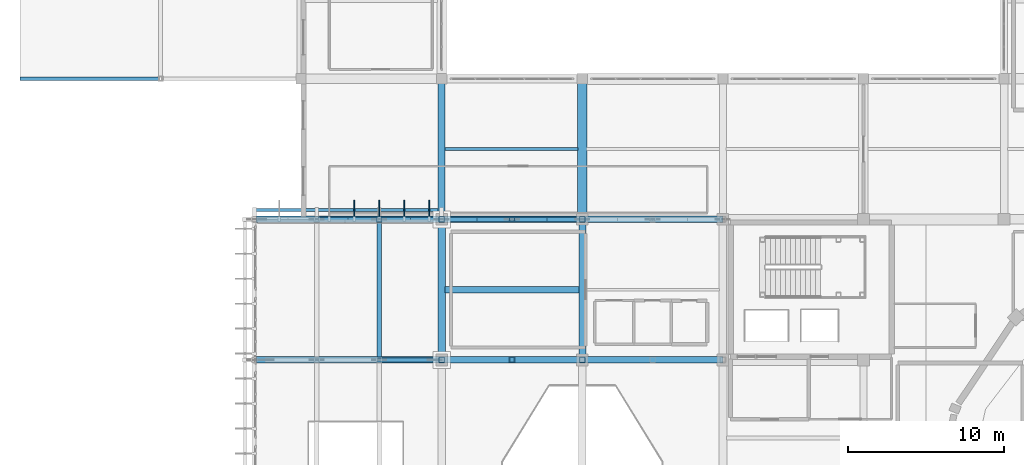
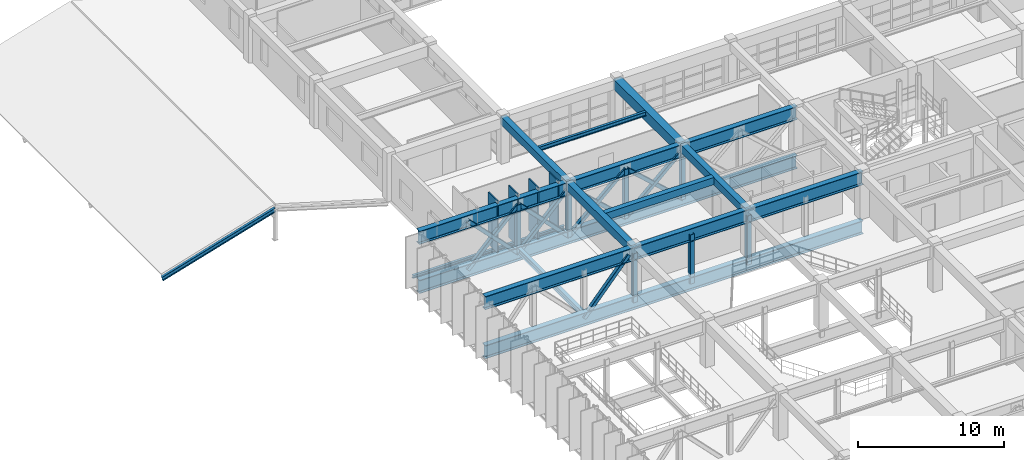
# One storey, part 48 of 130: 21 members, 12 beams.
"""IFC4 building model written with IfcOpenShell, lengths in metres."""

from ifc_helpers import new_model, si_unit, direction, frame, origin, origin_2d, place, context, subcontext, project, spatial, rectangle, hollow_rectangle, i_section, extrude, material, material_profile, profile_set, type_object, element, save


model = new_model("IFC4")

# Units and contexts
model_context = context("Model", 3, precision=1e-05, world=origin(), true_north=direction((0.0, 1.0)))
body_context = subcontext(model_context, "Body", "Model", "MODEL_VIEW")
ifc_project = project(units=[si_unit("LENGTHUNIT", "METRE"), si_unit("AREAUNIT", "SQUARE_METRE"), si_unit("VOLUMEUNIT", "CUBIC_METRE"), si_unit("PLANEANGLEUNIT", "RADIAN"), si_unit("MASSUNIT", "GRAM", prefix="KILO")], contexts=[model_context])

# Site, building, storey
site_placement = place(None, origin())
site = spatial("IfcSite", under=ifc_project, at=site_placement, CompositionType="ELEMENT")
building_placement = place(site_placement, origin())
building = spatial("IfcBuilding", under=site, at=building_placement, Name="Miravela Opera House", CompositionType="ELEMENT")
storey_placement = place(building_placement, frame((0.0, 0.0, 9.52001953125)))
storey = spatial("IfcBuildingStorey", under=building, at=storey_placement, Name="L02", CompositionType="ELEMENT", Elevation=9.52001953125)

# Members
ifc_material_1 = material(Name="Anodised architectural bronze aluminium 6063-T6", Category="aluminium")
ifc_material_profile_1 = material_profile(ifc_material_1, rectangle(XDim=0.090087890625, YDim=1.25, at=origin_2d()), Name="FIN-1250X90")
ifc_profile_set_1 = profile_set([ifc_material_profile_1])
member_type_1 = type_object("IfcMemberType", Name="ARC-FIN-1250", PredefinedType="USERDEFINED", material=ifc_profile_set_1)
for number, where, z_axis, x_axis, name in (
    (1, (21.39990234375, 75.60498046875, -0.260009765625), (0.0, 0.0, 1.0), (1.0, 0.0, 0.0), "Auditorium Wrapper Bronze Solar Fin FIN-L02-NORTH-0029"),
    (2, (23.0, 75.60498046875, -0.260009765625), (0.0, 0.0, 1.0), (1.0, 0.0, 0.0), "Auditorium Wrapper Bronze Solar Fin FIN-L02-NORTH-0031"),
    (3, (24.60009765625, 75.60498046875, -0.260009765625), (0.0, 0.0, 1.0), (1.0, 0.0, 0.0), "Auditorium Wrapper Bronze Solar Fin FIN-L02-NORTH-0033"),
    (4, (26.199951171875, 75.60498046875, -0.260009765625), (0.0, 0.0, 1.0), (1.0, 0.0, 0.0), "Auditorium Wrapper Bronze Solar Fin FIN-L02-NORTH-0035"),
):
    element("IfcMember", number, at=place(storey_placement, frame(where, z_axis=z_axis, x_axis=x_axis)), inside=storey, type_object=member_type_1, Name=name, ObjectType="FIN", PredefinedType="USERDEFINED", context=body_context, shape_type="SweptSolid", body=[
        extrude(rectangle(XDim=0.090087890625, YDim=1.25, at=origin_2d()), origin(), (0.0, 0.0, 1.0), 4.340087890625),
    ])

# Beams
ifc_material_2 = material(Name="Concrete C35/45", Category="concrete")
ifc_material_profile_2 = material_profile(ifc_material_2, rectangle(XDim=0.39990234375, YDim=0.60009765625, at=origin_2d()), Name="RC-BM-400X600")
ifc_profile_set_2 = profile_set([ifc_material_profile_2])
beam_type_1 = type_object("IfcBeamType", Name="STR-BM-RC400X600", PredefinedType="JOIST", material=ifc_profile_set_2)
beam_1_placement = place(storey_placement, frame((27.22509765625, 70.5, 3.5400390625), z_axis=(1.0, 0.0, 0.0), x_axis=(0.0, 1.0, 0.0)))
element("IfcBeam", 5, at=beam_1_placement, inside=storey, type_object=beam_type_1, Name="Secondary Floor Joist L02 4-5/H-I", PredefinedType="JOIST", context=body_context, shape_type="SweptSolid", body=[
    extrude(rectangle(XDim=0.39990234375, YDim=0.60009765625, at=origin_2d()), origin(), (0.0, 0.0, 1.0), 8.56494140625),
])
ifc_material_profile_3 = material_profile(ifc_material_2, rectangle(XDim=0.449951171875, YDim=0.64990234375, at=origin_2d()), Name="RC-BM-450X650")
ifc_profile_set_3 = profile_set([ifc_material_profile_3])
beam_type_2 = type_object("IfcBeamType", Name="STR-BM-RC450X650", PredefinedType="BEAM", material=ifc_profile_set_3)
for number, where, z_axis, x_axis, name in (
    (6, (27.0, 75.080078125, 3.514892578125), (0.0, 1.0, 0.0), (-1.0, 0.0, 0.0), "Floor Girder L02 4/I-J"),
    (7, (36.0, 66.080078125, 3.514892578125), (0.0, 1.0, 0.0), (-1.0, 0.0, 0.0), "Floor Girder L02 5/H-I"),
):
    element("IfcBeam", number, at=place(storey_placement, frame(where, z_axis=z_axis, x_axis=x_axis)), inside=storey, type_object=beam_type_2, Name=name, PredefinedType="BEAM", context=body_context, shape_type="SweptSolid", body=[
        extrude(rectangle(XDim=0.449951171875, YDim=0.64990234375, at=origin_2d()), origin(), (0.0, 0.0, 1.0), 8.83984375),
    ])
ifc_material_profile_4 = material_profile(ifc_material_2, rectangle(XDim=0.47998046875, YDim=0.679931640625, at=origin_2d()), Name="RC-BM-480X680")
ifc_profile_set_4 = profile_set([ifc_material_profile_4])
beam_type_3 = type_object("IfcBeamType", Name="STR-BM-RC480X680", PredefinedType="BEAM", material=ifc_profile_set_4)
beam_2_placement = place(storey_placement, frame((27.0, 66.080078125, 3.5), z_axis=(0.0, 1.0, 0.0), x_axis=(-1.0, 0.0, 0.0)))
element("IfcBeam", 8, at=beam_2_placement, inside=storey, type_object=beam_type_3, Name="Floor Girder L02 4/H-I", PredefinedType="BEAM", context=body_context, shape_type="SweptSolid", body=[
    extrude(rectangle(XDim=0.47998046875, YDim=0.679931640625, at=origin_2d()), origin(), (0.0, 0.0, 1.0), 8.83984375),
])
ifc_material_3 = material(Name="Concrete C40/50", Category="concrete")
ifc_material_profile_5 = material_profile(ifc_material_3, rectangle(XDim=0.60009765625, YDim=0.85009765625, at=origin_2d()), Name="RC-BM-600X850")
ifc_profile_set_5 = profile_set([ifc_material_profile_5])
beam_type_4 = type_object("IfcBeamType", Name="STR-BM-RC600X850", PredefinedType="BEAM", material=ifc_profile_set_5)
beam_3_placement = place(storey_placement, frame((36.0, 75.080078125, 3.4150390625), z_axis=(0.0, 1.0, 0.0), x_axis=(-1.0, 0.0, 0.0)))
element("IfcBeam", 9, at=beam_3_placement, inside=storey, type_object=beam_type_4, Name="Floor Girder L02 5/I-J", PredefinedType="BEAM", context=body_context, shape_type="SweptSolid", body=[
    extrude(rectangle(XDim=0.60009765625, YDim=0.85009765625, at=origin_2d()), origin(), (0.0, 0.0, 1.0), 8.83984375),
])
ifc_material_4 = material(Name="Structural steel ASTM A992 Gr. 50", Category="steel")
ifc_material_profile_6 = material_profile(ifc_material_4, i_section(OverallWidth=0.419921875, OverallDepth=1.10595703125, WebThickness=0.02001953125, FlangeThickness=0.0400390625, FilletRadius=0.02392578125, at=origin_2d()), Name="W1100X390")
ifc_profile_set_6 = profile_set([ifc_material_profile_6])
beam_type_5 = type_object("IfcBeamType", Name="STR-BM-W1100X390", PredefinedType="BEAM", material=ifc_profile_set_6)
for number, where, z_axis, x_axis, name in (
    (10, (45.0, 66.0, -0.81298828125), (-1.0, 0.0, 0.0), (0.0, -1.0, 0.0), "Cantilever Truss CT-04 Continuous Bottom Chord"),
    (11, (45.0, 66.0, 3.286865234375), (-1.0, 0.0, 0.0), (0.0, -1.0, 0.0), "Cantilever Truss CT-04 Continuous Top Chord"),
    (12, (45.0, 75.0, -0.81298828125), (-1.0, 0.0, 0.0), (0.0, -1.0, 0.0), "Cantilever Truss CT-05 Continuous Bottom Chord"),
    (13, (45.0, 75.0, 3.286865234375), (-1.0, 0.0, 0.0), (0.0, -1.0, 0.0), "Cantilever Truss CT-05 Continuous Top Chord"),
):
    element("IfcBeam", number, at=place(storey_placement, frame(where, z_axis=z_axis, x_axis=x_axis)), inside=storey, type_object=beam_type_5, Name=name, PredefinedType="BEAM", context=body_context, shape_type="SweptSolid", body=[
        extrude(i_section(OverallWidth=0.419921875, OverallDepth=1.10595703125, WebThickness=0.02001953125, FlangeThickness=0.0400390625, FilletRadius=0.02392578125, at=origin_2d()), origin(), (0.0, 0.0, 1.0), 29.889892578125),
    ])
ifc_material_profile_7 = material_profile(ifc_material_4, i_section(OverallWidth=0.201904296875, OverallDepth=0.2470703125, WebThickness=0.00732421875, FlangeThickness=0.010986328125, FilletRadius=0.011962890625, at=origin_2d()), Name="W250X49")
ifc_profile_set_7 = profile_set([ifc_material_profile_7])
beam_type_6 = type_object("IfcBeamType", Name="STR-BM-W250X49", PredefinedType="LINTEL", material=ifc_profile_set_7)
beam_4_placement = place(storey_placement, frame((15.0, 75.60498046875, -0.383544921875), z_axis=(1.0, 0.0, 0.0), x_axis=(0.0, 1.0, 0.0)))
element("IfcBeam", 14, at=beam_4_placement, inside=storey, type_object=beam_type_6, Name="Facade Fin Support Ledger Beam L02 North", PredefinedType="LINTEL", context=body_context, shape_type="SweptSolid", body=[
    extrude(i_section(OverallWidth=0.201904296875, OverallDepth=0.2470703125, WebThickness=0.00732421875, FlangeThickness=0.010986328125, FilletRadius=0.011962890625, at=origin_2d()), origin(), (0.0, 0.0, 1.0), 12.0),
])
ifc_material_profile_8 = material_profile(ifc_material_4, i_section(OverallWidth=0.2041015625, OverallDepth=0.35009765625, WebThickness=0.008544921875, FlangeThickness=0.01513671875, FilletRadius=0.013916015625, at=origin_2d()), Name="W360X72")
ifc_profile_set_8 = profile_set([ifc_material_profile_8])
beam_type_7 = type_object("IfcBeamType", Name="STR-BM-W360X72", PredefinedType="JOIST", material=ifc_profile_set_8)
beam_5_placement = place(storey_placement, frame((27.2099609375, 79.5, 3.6650390625), z_axis=(1.0, 0.0, 0.0), x_axis=(0.0, 1.0, 0.0)))
element("IfcBeam", 15, at=beam_5_placement, inside=storey, type_object=beam_type_7, Name="Secondary Floor Joist L02 4-5/I-J", PredefinedType="JOIST", context=body_context, shape_type="SweptSolid", body=[
    extrude(i_section(OverallWidth=0.2041015625, OverallDepth=0.35009765625, WebThickness=0.008544921875, FlangeThickness=0.01513671875, FilletRadius=0.013916015625, at=origin_2d()), origin(), (0.0, 0.0, 1.0), 8.505126953125),
])
ifc_material_profile_9 = material_profile(ifc_material_4, i_section(OverallWidth=0.280029296875, OverallDepth=0.462890625, WebThickness=0.0107421875, FlangeThickness=0.017333984375, FilletRadius=0.014892578125, at=origin_2d()), Name="W460X113")
ifc_profile_set_9 = profile_set([ifc_material_profile_9])
beam_type_8 = type_object("IfcBeamType", Name="STR-BM-W460X113", PredefinedType="BEAM", material=ifc_profile_set_9)
beam_6_placement = place(storey_placement, frame((23.0, 66.195068359375, -0.491455078125), z_axis=(0.0, 1.0, 0.0), x_axis=(-1.0, 0.0, 0.0)))
element("IfcBeam", 16, at=beam_6_placement, inside=storey, type_object=beam_type_8, Name="Cantilever Overhang Beam L02 X=23", PredefinedType="BEAM", context=body_context, shape_type="SweptSolid", body=[
    extrude(i_section(OverallWidth=0.280029296875, OverallDepth=0.462890625, WebThickness=0.0107421875, FlangeThickness=0.017333984375, FilletRadius=0.014892578125, at=origin_2d()), origin(), (0.0, 0.0, 1.0), 8.60986328125),
])

# Members
ifc_material_5 = material(Name="Hollow structural steel ASTM A500 Gr. C", Category="steel")
ifc_material_profile_10 = material_profile(ifc_material_5, hollow_rectangle(XDim=0.300048828125, YDim=0.300048828125, WallThickness=0.01611328125, InnerFilletRadius=0.01611328125, OuterFilletRadius=0.031982421875, at=origin_2d()), Name="HSS300X300X16")
ifc_profile_set_10 = profile_set([ifc_material_profile_10])
member_type_2 = type_object("IfcMemberType", Name="STR-MEM-CANT-DIAG", PredefinedType="BRACE", material=ifc_profile_set_10)
member_1_placement = place(storey_placement, frame((23.0, 66.0, -0.81298828125), z_axis=(0.654597986121, 0.0, 0.755977166696), x_axis=(0.0, 1.0, 0.0)))
element("IfcMember", 17, at=member_1_placement, inside=storey, type_object=member_type_2, Name="Cantilever Truss CT-04 Overhang Web Diagonal 3", PredefinedType="BRACE", context=body_context, shape_type="SweptSolid", body=[
    extrude(hollow_rectangle(XDim=0.300048828125, YDim=0.300048828125, WallThickness=0.01611328125, InnerFilletRadius=0.01611328125, OuterFilletRadius=0.031982421875, at=origin_2d()), origin(), (0.0, 0.0, 1.0), 5.42333984375),
])
for number, where, z_axis, x_axis, name in (
    (18, (19.0, 75.0, -0.81298828125), (0.698336634992, 0.0, 0.715769477016), (0.0, 1.0, 0.0), "Cantilever Truss CT-05 Perimeter Web Diagonal 2A"),
    (19, (19.0, 75.0, 3.286865234375), (0.698336634992, 0.0, -0.715769477016), (0.0, 1.0, 0.0), "Cantilever Truss CT-05 Perimeter Web Diagonal 2B"),
    (20, (23.0, 75.0, -0.81298828125), (0.698336634992, 0.0, 0.715769477016), (0.0, 1.0, 0.0), "Cantilever Truss CT-05 Perimeter Web Diagonal 3A"),
    (21, (23.0, 75.0, 3.286865234375), (0.698336634992, 0.0, -0.715769477016), (0.0, 1.0, 0.0), "Cantilever Truss CT-05 Perimeter Web Diagonal 3B"),
):
    element("IfcMember", number, at=place(storey_placement, frame(where, z_axis=z_axis, x_axis=x_axis)), inside=storey, type_object=member_type_2, Name=name, PredefinedType="BRACE", context=body_context, shape_type="SweptSolid", body=[
        extrude(hollow_rectangle(XDim=0.300048828125, YDim=0.300048828125, WallThickness=0.01611328125, InnerFilletRadius=0.01611328125, OuterFilletRadius=0.031982421875, at=origin_2d()), origin(), (0.0, 0.0, 1.0), 5.727783203125),
    ])
for number, where, z_axis, x_axis, name in (
    (22, (27.0, 75.0, -0.81298828125), (0.7392083166, 0.0, 0.673476847909), (0.0, 1.0, 0.0), "Cantilever Truss CT-05 Perimeter Web Diagonal 4A"),
    (23, (27.0, 75.0, 3.286865234375), (0.7392083166, 0.0, -0.673476847909), (0.0, 1.0, 0.0), "Cantilever Truss CT-05 Perimeter Web Diagonal 4B"),
    (24, (31.5, 75.0, -0.81298828125), (0.7392083166, 0.0, 0.673476847909), (0.0, 1.0, 0.0), "Cantilever Truss CT-05 Perimeter Web Diagonal 5A"),
    (25, (31.5, 75.0, 3.286865234375), (0.7392083166, 0.0, -0.673476847909), (0.0, 1.0, 0.0), "Cantilever Truss CT-05 Perimeter Web Diagonal 5B"),
):
    element("IfcMember", number, at=place(storey_placement, frame(where, z_axis=z_axis, x_axis=x_axis)), inside=storey, type_object=member_type_2, Name=name, PredefinedType="BRACE", context=body_context, shape_type="SweptSolid", body=[
        extrude(hollow_rectangle(XDim=0.300048828125, YDim=0.300048828125, WallThickness=0.01611328125, InnerFilletRadius=0.01611328125, OuterFilletRadius=0.031982421875, at=origin_2d()), origin(), (0.0, 0.0, 1.0), 6.087646484375),
    ])
ifc_material_profile_11 = material_profile(ifc_material_5, hollow_rectangle(XDim=0.35009765625, YDim=0.35009765625, WallThickness=0.01611328125, InnerFilletRadius=0.01611328125, OuterFilletRadius=0.031982421875, at=origin_2d()), Name="HSS350X350X16")
ifc_profile_set_11 = profile_set([ifc_material_profile_11])
member_type_3 = type_object("IfcMemberType", Name="STR-MEM-CANT-POST", PredefinedType="POST", material=ifc_profile_set_11)
for number, where, z_axis, x_axis, name in (
    (26, (27.0, 66.0, -0.81298828125), (0.0, 0.0, 1.0), (1.0, 0.0, 0.0), "Cantilever Truss CT-04 Post X=27.0"),
    (27, (31.5, 66.0, -0.81298828125), (0.0, 0.0, 1.0), (1.0, 0.0, 0.0), "Cantilever Truss CT-04 Post X=31.5"),
    (28, (36.0, 66.0, -0.81298828125), (0.0, 0.0, 1.0), (1.0, 0.0, 0.0), "Cantilever Truss CT-04 Post X=36.0"),
    (29, (23.0, 75.0, -0.81298828125), (0.0, 0.0, 1.0), (1.0, 0.0, 0.0), "Cantilever Truss CT-05 Post X=23.0"),
    (30, (27.0, 75.0, -0.81298828125), (0.0, 0.0, 1.0), (1.0, 0.0, 0.0), "Cantilever Truss CT-05 Post X=27.0"),
    (31, (31.5, 75.0, -0.81298828125), (0.0, 0.0, 1.0), (1.0, 0.0, 0.0), "Cantilever Truss CT-05 Post X=31.5"),
    (32, (36.0, 75.0, -0.81298828125), (0.0, 0.0, 1.0), (1.0, 0.0, 0.0), "Cantilever Truss CT-05 Post X=36.0"),
):
    element("IfcMember", number, at=place(storey_placement, frame(where, z_axis=z_axis, x_axis=x_axis)), inside=storey, type_object=member_type_3, Name=name, PredefinedType="POST", context=body_context, shape_type="SweptSolid", body=[
        extrude(hollow_rectangle(XDim=0.35009765625, YDim=0.35009765625, WallThickness=0.01611328125, InnerFilletRadius=0.01611328125, OuterFilletRadius=0.031982421875, at=origin_2d()), origin(), (0.0, 0.0, 1.0), 4.099853515625),
    ])
ifc_material_profile_12 = material_profile(ifc_material_4, i_section(OverallWidth=0.2041015625, OverallDepth=0.35009765625, WebThickness=0.008544921875, FlangeThickness=0.01513671875, FilletRadius=0.013916015625, at=origin_2d()), Name="W360X72")
ifc_profile_set_12 = profile_set([ifc_material_profile_12])
member_type_4 = type_object("IfcMemberType", Name="STR-MEM-RAFTER-1", PredefinedType="RAFTER", material=ifc_profile_set_12)
member_2_placement = place(storey_placement, frame((0.050048828125, 84.0, -0.39990234375), z_axis=(0.958562219619, 0.0, 0.284883258756), x_axis=(0.0, 1.0, 0.0)))
element("IfcMember", 33, at=member_2_placement, inside=storey, type_object=member_type_4, Name="Pitched Roof Rafter ROOF-V5-NORTH W0", PredefinedType="RAFTER", context=body_context, shape_type="SweptSolid", body=[
    extrude(i_section(OverallWidth=0.2041015625, OverallDepth=0.35009765625, WebThickness=0.008544921875, FlangeThickness=0.01513671875, FilletRadius=0.013916015625, at=origin_2d()), origin(), (0.0, 0.0, 1.0), 9.3369140625),
])

save(model, "model.ifc")
